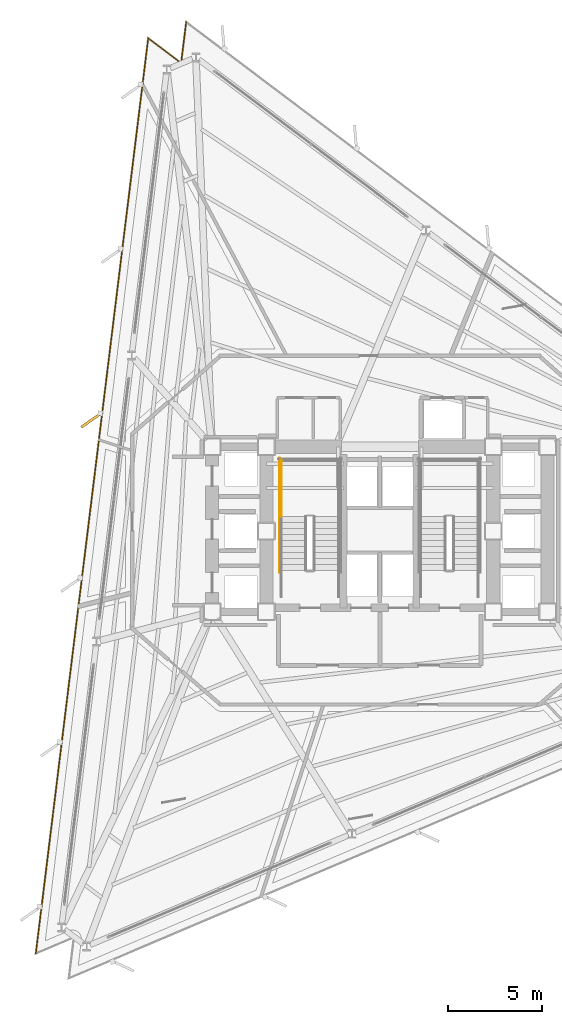
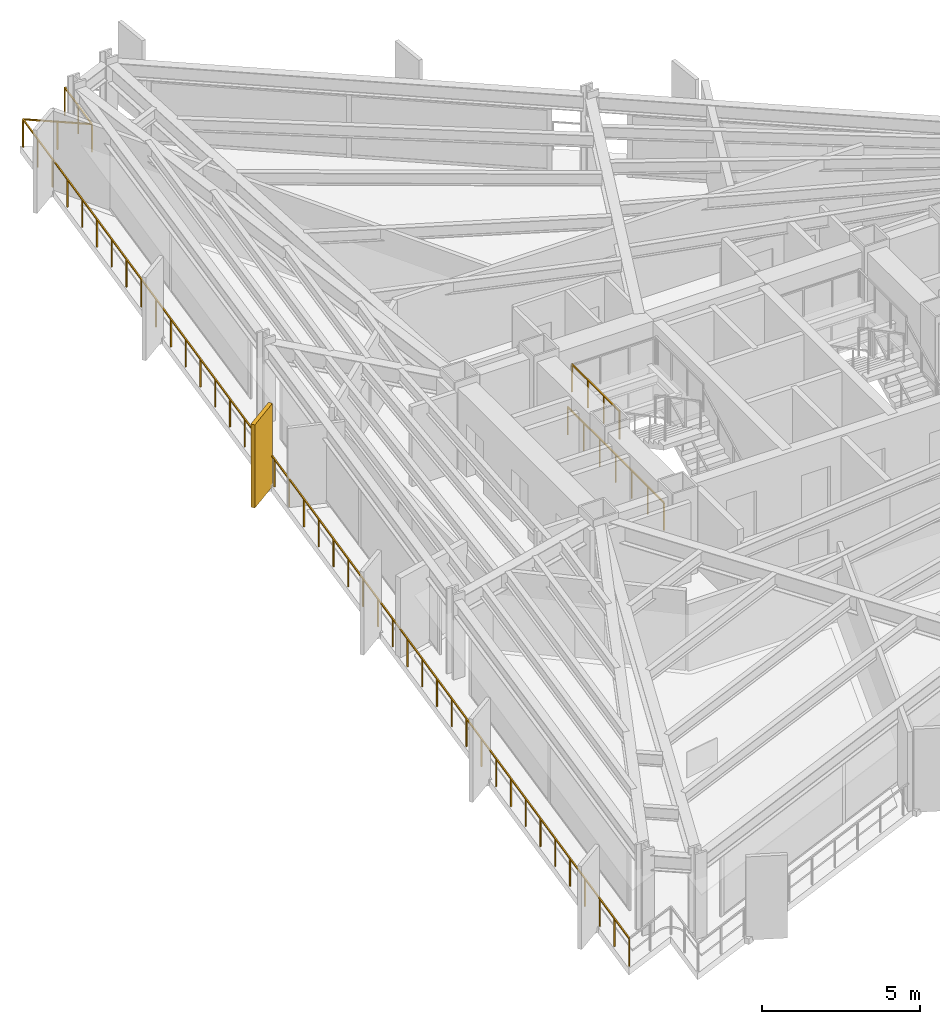
# One storey, part 11 of 13: 3 railings, 1 shading device.
"""IFC4 building model written with IfcOpenShell, lengths in metres."""

from ifc_helpers import new_model, si_unit, direction, frame, origin, origin_2d, place, context, subcontext, project, spatial, rectangle, extrude, material, layer, layer_set, type_object, element, save


model = new_model("IFC4")

# Units and contexts
model_context = context("Model", 3, precision=1e-05, world=origin(), true_north=direction((0.0, 1.0)))
body_context = subcontext(model_context, "Body", "Model", "MODEL_VIEW")
ifc_project = project(units=[si_unit("LENGTHUNIT", "METRE"), si_unit("AREAUNIT", "SQUARE_METRE"), si_unit("VOLUMEUNIT", "CUBIC_METRE"), si_unit("PLANEANGLEUNIT", "RADIAN"), si_unit("MASSUNIT", "GRAM", prefix="KILO")], contexts=[model_context])

# Site, building, storey
site_placement = place(None, origin())
site = spatial("IfcSite", under=ifc_project, at=site_placement, CompositionType="ELEMENT")
building_placement = place(site_placement, origin())
building = spatial("IfcBuilding", under=site, at=building_placement, Name="Rocaltana Carrier Exchange", CompositionType="ELEMENT")
storey_placement = place(building_placement, frame((0.0, 0.0, 56.320068359375)))
storey = spatial("IfcBuildingStorey", under=building, at=storey_placement, Name="L17", CompositionType="ELEMENT", Elevation=56.320068359375)

# Railings
ifc_material_1 = material(Name="Powder-Coated Aluminium 6063-T6", Category="aluminium")
ifc_layer_1 = layer(ifc_material_1, 0.048095703125)
ifc_layer_set_1 = layer_set([ifc_layer_1], Name="Powder-Coated Aluminium 6063-T6")
railing_type_1 = type_object("IfcRailingType", Name="Stair Well Guardrail 1100", PredefinedType="GUARDRAIL", material=ifc_layer_set_1)
railing_1_placement = place(storey_placement, frame((-5.25, 0.780029296875, 1.679931640625)))
element("IfcRailing", 1, at=railing_1_placement, inside=storey, type_object=railing_type_1, Name="L17 ST-1 stair guard 4", PredefinedType="GUARDRAIL", context=body_context, shape_type="SweptSolid", body=[
    extrude(rectangle(XDim=0.048095703125, YDim=0.048095703125, at=origin_2d()), frame((0.0, 0.0, 1.076171875), z_axis=(0.0, 1.0, 0.0), x_axis=(-1.0, 0.0, 0.0)), (0.0, 0.0, 1.0), 3.02001953125),
    extrude(rectangle(XDim=0.0419921875, YDim=0.0419921875, at=origin_2d()), origin(), (0.0, 0.0, 1.0), 1.052001953125),
    extrude(rectangle(XDim=0.0419921875, YDim=0.0419921875, at=origin_2d()), frame((0.0, 1.006591796875, 0.0)), (0.0, 0.0, 1.0), 1.052001953125),
    extrude(rectangle(XDim=0.0419921875, YDim=0.0419921875, at=origin_2d()), frame((0.0, 2.013427734375, 0.0)), (0.0, 0.0, 1.0), 1.052001953125),
    extrude(rectangle(XDim=0.0419921875, YDim=0.0419921875, at=origin_2d()), frame((0.0, 3.02001953125, 0.0)), (0.0, 0.0, 1.0), 1.052001953125),
])
railing_2_placement = place(storey_placement, frame((-5.35009765625, -2.199951171875, 0.0)))
element("IfcRailing", 2, at=railing_2_placement, inside=storey, type_object=railing_type_1, Name="L17 ST-1 stair guard 11", PredefinedType="GUARDRAIL", context=body_context, shape_type="SweptSolid", body=[
    extrude(rectangle(XDim=0.048095703125, YDim=0.048095703125, at=origin_2d()), frame((0.0, 0.0, 1.076171875), z_axis=(0.0, 1.0, 0.0), x_axis=(-1.0, 0.0, 0.0)), (0.0, 0.0, 1.0), 6.099853515625),
    extrude(rectangle(XDim=0.0419921875, YDim=0.0419921875, at=origin_2d()), origin(), (0.0, 0.0, 1.0), 1.052001953125),
    extrude(rectangle(XDim=0.0419921875, YDim=0.0419921875, at=origin_2d()), frame((0.0, 1.0166015625, 0.0)), (0.0, 0.0, 1.0), 1.052001953125),
    extrude(rectangle(XDim=0.0419921875, YDim=0.0419921875, at=origin_2d()), frame((0.0, 2.033203125, 0.0)), (0.0, 0.0, 1.0), 1.052001953125),
    extrude(rectangle(XDim=0.0419921875, YDim=0.0419921875, at=origin_2d()), frame((0.0, 3.0498046875, 0.0)), (0.0, 0.0, 1.0), 1.052001953125),
    extrude(rectangle(XDim=0.0419921875, YDim=0.0419921875, at=origin_2d()), frame((0.0, 4.066650390625, 0.0)), (0.0, 0.0, 1.0), 1.052001953125),
    extrude(rectangle(XDim=0.0419921875, YDim=0.0419921875, at=origin_2d()), frame((0.0, 5.083251953125, 0.0)), (0.0, 0.0, 1.0), 1.052001953125),
    extrude(rectangle(XDim=0.0419921875, YDim=0.0419921875, at=origin_2d()), frame((0.0, 6.099853515625, 0.0)), (0.0, 0.0, 1.0), 1.052001953125),
])

# Shading device
ifc_material_2 = material(Name="Honed Bogota Sandstone & Concrete C45/55", Category="masonry")
ifc_layer_2 = layer(ifc_material_2, 0.139892578125)
ifc_layer_set_2 = layer_set([ifc_layer_2], Name="Honed Bogota Sandstone & Concrete C45/55")
shading_device_type = type_object("IfcShadingDeviceType", Name="Vertical Sandstone Shading Fin 1320x140", PredefinedType="USERDEFINED", material=ifc_layer_set_2)
shading_device_placement = place(storey_placement, frame((-15.38427734375, 5.92431640625, -0.1201171875), z_axis=(0.0, 0.0, 1.0), x_axis=(-0.819152044289, -0.573576436351, 0.0)))
element("IfcShadingDevice", 3, at=shading_device_placement, inside=storey, type_object=shading_device_type, Name="L17 Sandstone Vertical Fin F2-03", ObjectType="FIN", PredefinedType="USERDEFINED", context=body_context, shape_type="SweptSolid", body=[
    extrude(rectangle(XDim=1.320068359375, YDim=0.139892578125, at=origin_2d()), origin(), (0.0, 0.0, 1.0), 3.218017578125),
])

# Railing
ifc_material_3 = material(Name="Powder-Coated Aluminium 6063-T6", Category="aluminium")
ifc_layer_3 = layer(ifc_material_3, 0.06005859375)
ifc_layer_set_3 = layer_set([ifc_layer_3], Name="Powder-Coated Aluminium 6063-T6")
railing_type_2 = type_object("IfcRailingType", Name="Wind-Floor & Terrace Perimeter Guardrail 1100", PredefinedType="GUARDRAIL", material=ifc_layer_set_3)
railing_3_placement = place(storey_placement, frame((-18.352783203125, -22.52734375, 0.0)))
element("IfcRailing", 4, at=railing_3_placement, inside=storey, type_object=railing_type_2, Name="L17 Perimeter Balcony Guardrail 2", PredefinedType="GUARDRAIL", context=body_context, shape_type="SweptSolid", body=[
    extrude(rectangle(XDim=0.048095703125, YDim=0.048095703125, at=origin_2d()), frame((0.0, 0.0, 1.076171875), z_axis=(0.12186659782, 0.992546488753, 0.0), x_axis=(-0.992546488753, 0.12186659782, 0.0)), (0.0, 0.0, 1.0), 49.192138671875),
    extrude(rectangle(XDim=0.048095703125, YDim=0.048095703125, at=origin_2d()), frame((5.994873046875, 48.825439453125, 1.076171875), z_axis=(0.798653030423, -0.601791772125, 0.0), x_axis=(0.601791772125, 0.798653030423, 0.0)), (0.0, 0.0, 1.0), 2.199951171875),
    extrude(rectangle(XDim=0.048095703125, YDim=0.048095703125, at=origin_2d()), frame((7.751953125, 47.50146484375, 1.076171875), z_axis=(0.121849105842, 0.992548636292, 0.0), x_axis=(-0.992548636292, 0.121849105842, 0.0)), (0.0, 0.0, 1.0), 2.199951171875),
    extrude(rectangle(XDim=0.0419921875, YDim=0.0419921875, at=origin_2d()), origin(), (0.0, 0.0, 1.0), 1.052001953125),
    extrude(rectangle(XDim=0.0419921875, YDim=0.0419921875, at=origin_2d()), frame((0.146240234375, 1.19091796875, 0.0)), (0.0, 0.0, 1.0), 1.052001953125),
    extrude(rectangle(XDim=0.0419921875, YDim=0.0419921875, at=origin_2d()), frame((0.29248046875, 2.3818359375, 0.0)), (0.0, 0.0, 1.0), 1.052001953125),
    extrude(rectangle(XDim=0.0419921875, YDim=0.0419921875, at=origin_2d()), frame((0.438720703125, 3.572509765625, 0.0)), (0.0, 0.0, 1.0), 1.052001953125),
    extrude(rectangle(XDim=0.0419921875, YDim=0.0419921875, at=origin_2d()), frame((0.5849609375, 4.763427734375, 0.0)), (0.0, 0.0, 1.0), 1.052001953125),
    extrude(rectangle(XDim=0.0419921875, YDim=0.0419921875, at=origin_2d()), frame((0.731201171875, 5.954345703125, 0.0)), (0.0, 0.0, 1.0), 1.052001953125),
    extrude(rectangle(XDim=0.0419921875, YDim=0.0419921875, at=origin_2d()), frame((0.877197265625, 7.145263671875, 0.0)), (0.0, 0.0, 1.0), 1.052001953125),
    extrude(rectangle(XDim=0.0419921875, YDim=0.0419921875, at=origin_2d()), frame((1.0234375, 8.3359375, 0.0)), (0.0, 0.0, 1.0), 1.052001953125),
    extrude(rectangle(XDim=0.0419921875, YDim=0.0419921875, at=origin_2d()), frame((1.169677734375, 9.52685546875, 0.0)), (0.0, 0.0, 1.0), 1.052001953125),
    extrude(rectangle(XDim=0.0419921875, YDim=0.0419921875, at=origin_2d()), frame((1.31591796875, 10.7177734375, 0.0)), (0.0, 0.0, 1.0), 1.052001953125),
    extrude(rectangle(XDim=0.0419921875, YDim=0.0419921875, at=origin_2d()), frame((1.462158203125, 11.90869140625, 0.0)), (0.0, 0.0, 1.0), 1.052001953125),
    extrude(rectangle(XDim=0.0419921875, YDim=0.0419921875, at=origin_2d()), frame((1.6083984375, 13.099609375, 0.0)), (0.0, 0.0, 1.0), 1.052001953125),
    extrude(rectangle(XDim=0.0419921875, YDim=0.0419921875, at=origin_2d()), frame((1.754638671875, 14.290283203125, 0.0)), (0.0, 0.0, 1.0), 1.052001953125),
    extrude(rectangle(XDim=0.0419921875, YDim=0.0419921875, at=origin_2d()), frame((1.90087890625, 15.481201171875, 0.0)), (0.0, 0.0, 1.0), 1.052001953125),
    extrude(rectangle(XDim=0.0419921875, YDim=0.0419921875, at=origin_2d()), frame((2.047119140625, 16.672119140625, 0.0)), (0.0, 0.0, 1.0), 1.052001953125),
    extrude(rectangle(XDim=0.0419921875, YDim=0.0419921875, at=origin_2d()), frame((2.193359375, 17.863037109375, 0.0)), (0.0, 0.0, 1.0), 1.052001953125),
    extrude(rectangle(XDim=0.0419921875, YDim=0.0419921875, at=origin_2d()), frame((2.33935546875, 19.0537109375, 0.0)), (0.0, 0.0, 1.0), 1.052001953125),
    extrude(rectangle(XDim=0.0419921875, YDim=0.0419921875, at=origin_2d()), frame((2.485595703125, 20.24462890625, 0.0)), (0.0, 0.0, 1.0), 1.052001953125),
    extrude(rectangle(XDim=0.0419921875, YDim=0.0419921875, at=origin_2d()), frame((2.6318359375, 21.435546875, 0.0)), (0.0, 0.0, 1.0), 1.052001953125),
    extrude(rectangle(XDim=0.0419921875, YDim=0.0419921875, at=origin_2d()), frame((2.778076171875, 22.62646484375, 0.0)), (0.0, 0.0, 1.0), 1.052001953125),
    extrude(rectangle(XDim=0.0419921875, YDim=0.0419921875, at=origin_2d()), frame((2.92431640625, 23.8173828125, 0.0)), (0.0, 0.0, 1.0), 1.052001953125),
    extrude(rectangle(XDim=0.0419921875, YDim=0.0419921875, at=origin_2d()), frame((3.070556640625, 25.008056640625, 0.0)), (0.0, 0.0, 1.0), 1.052001953125),
    extrude(rectangle(XDim=0.0419921875, YDim=0.0419921875, at=origin_2d()), frame((3.216796875, 26.198974609375, 0.0)), (0.0, 0.0, 1.0), 1.052001953125),
    extrude(rectangle(XDim=0.0419921875, YDim=0.0419921875, at=origin_2d()), frame((3.363037109375, 27.389892578125, 0.0)), (0.0, 0.0, 1.0), 1.052001953125),
    extrude(rectangle(XDim=0.0419921875, YDim=0.0419921875, at=origin_2d()), frame((3.50927734375, 28.580810546875, 0.0)), (0.0, 0.0, 1.0), 1.052001953125),
    extrude(rectangle(XDim=0.0419921875, YDim=0.0419921875, at=origin_2d()), frame((3.655517578125, 29.771728515625, 0.0)), (0.0, 0.0, 1.0), 1.052001953125),
    extrude(rectangle(XDim=0.0419921875, YDim=0.0419921875, at=origin_2d()), frame((3.801513671875, 30.96240234375, 0.0)), (0.0, 0.0, 1.0), 1.052001953125),
    extrude(rectangle(XDim=0.0419921875, YDim=0.0419921875, at=origin_2d()), frame((3.94775390625, 32.1533203125, 0.0)), (0.0, 0.0, 1.0), 1.052001953125),
    extrude(rectangle(XDim=0.0419921875, YDim=0.0419921875, at=origin_2d()), frame((4.093994140625, 33.34423828125, 0.0)), (0.0, 0.0, 1.0), 1.052001953125),
    extrude(rectangle(XDim=0.0419921875, YDim=0.0419921875, at=origin_2d()), frame((4.240234375, 34.53515625, 0.0)), (0.0, 0.0, 1.0), 1.052001953125),
    extrude(rectangle(XDim=0.0419921875, YDim=0.0419921875, at=origin_2d()), frame((4.386474609375, 35.725830078125, 0.0)), (0.0, 0.0, 1.0), 1.052001953125),
    extrude(rectangle(XDim=0.0419921875, YDim=0.0419921875, at=origin_2d()), frame((4.53271484375, 36.916748046875, 0.0)), (0.0, 0.0, 1.0), 1.052001953125),
    extrude(rectangle(XDim=0.0419921875, YDim=0.0419921875, at=origin_2d()), frame((4.678955078125, 38.107666015625, 0.0)), (0.0, 0.0, 1.0), 1.052001953125),
    extrude(rectangle(XDim=0.0419921875, YDim=0.0419921875, at=origin_2d()), frame((4.8251953125, 39.298583984375, 0.0)), (0.0, 0.0, 1.0), 1.052001953125),
    extrude(rectangle(XDim=0.0419921875, YDim=0.0419921875, at=origin_2d()), frame((4.971435546875, 40.489501953125, 0.0)), (0.0, 0.0, 1.0), 1.052001953125),
    extrude(rectangle(XDim=0.0419921875, YDim=0.0419921875, at=origin_2d()), frame((5.11767578125, 41.68017578125, 0.0)), (0.0, 0.0, 1.0), 1.052001953125),
    extrude(rectangle(XDim=0.0419921875, YDim=0.0419921875, at=origin_2d()), frame((5.263671875, 42.87109375, 0.0)), (0.0, 0.0, 1.0), 1.052001953125),
    extrude(rectangle(XDim=0.0419921875, YDim=0.0419921875, at=origin_2d()), frame((5.409912109375, 44.06201171875, 0.0)), (0.0, 0.0, 1.0), 1.052001953125),
    extrude(rectangle(XDim=0.0419921875, YDim=0.0419921875, at=origin_2d()), frame((5.55615234375, 45.2529296875, 0.0)), (0.0, 0.0, 1.0), 1.052001953125),
    extrude(rectangle(XDim=0.0419921875, YDim=0.0419921875, at=origin_2d()), frame((5.702392578125, 46.443603515625, 0.0)), (0.0, 0.0, 1.0), 1.052001953125),
    extrude(rectangle(XDim=0.0419921875, YDim=0.0419921875, at=origin_2d()), frame((5.8486328125, 47.634521484375, 0.0)), (0.0, 0.0, 1.0), 1.052001953125),
    extrude(rectangle(XDim=0.0419921875, YDim=0.0419921875, at=origin_2d()), frame((5.994873046875, 48.825439453125, 0.0)), (0.0, 0.0, 1.0), 1.052001953125),
    extrude(rectangle(XDim=0.0419921875, YDim=0.0419921875, at=origin_2d()), frame((6.87353515625, 48.16357421875, 0.0)), (0.0, 0.0, 1.0), 1.052001953125),
    extrude(rectangle(XDim=0.0419921875, YDim=0.0419921875, at=origin_2d()), frame((7.751953125, 47.50146484375, 0.0)), (0.0, 0.0, 1.0), 1.052001953125),
    extrude(rectangle(XDim=0.0419921875, YDim=0.0419921875, at=origin_2d()), frame((7.885986328125, 48.59326171875, 0.0)), (0.0, 0.0, 1.0), 1.052001953125),
    extrude(rectangle(XDim=0.0419921875, YDim=0.0419921875, at=origin_2d()), frame((8.02001953125, 49.68505859375, 0.0)), (0.0, 0.0, 1.0), 1.052001953125),
])

save(model, "model.ifc")
